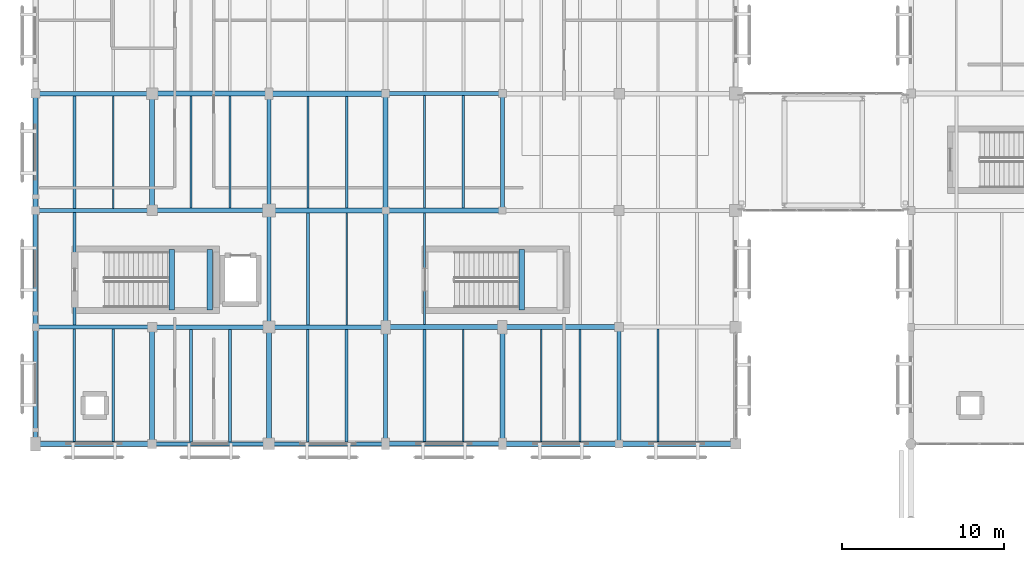
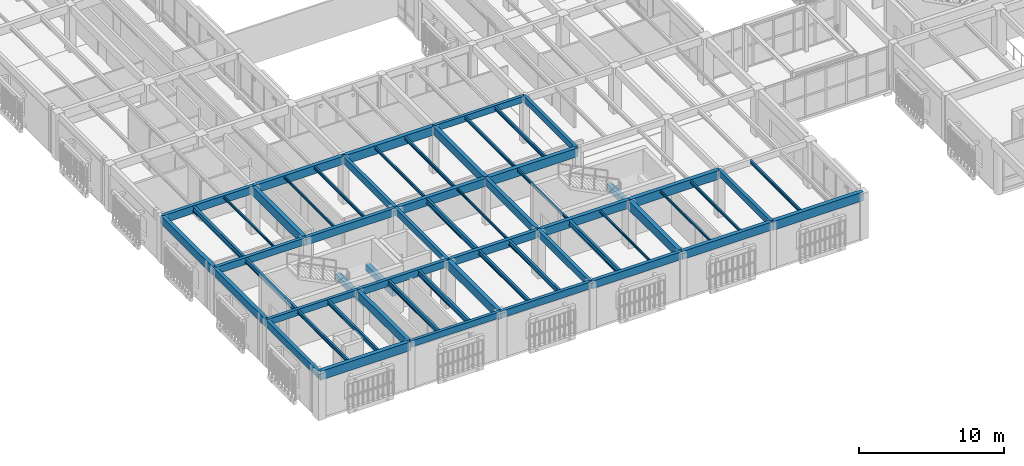
# One storey, part 19 of 170: 59 beams.
"""IFC4 building model written with IfcOpenShell, lengths in metres."""

from ifc_helpers import new_model, si_unit, direction, frame, origin, origin_2d, place, context, subcontext, project, spatial, rectangle, i_section, extrude, material, material_profile, profile_set, type_object, element, save


model = new_model("IFC4")

# Units and contexts
model_context = context("Model", 3, precision=1e-05, world=origin(), true_north=direction((0.0, 1.0)))
body_context = subcontext(model_context, "Body", "Model", "MODEL_VIEW")
ifc_project = project(units=[si_unit("LENGTHUNIT", "METRE"), si_unit("AREAUNIT", "SQUARE_METRE"), si_unit("VOLUMEUNIT", "CUBIC_METRE"), si_unit("PLANEANGLEUNIT", "RADIAN"), si_unit("MASSUNIT", "GRAM", prefix="KILO")], contexts=[model_context])

# Site, building, storey
site_placement = place(None, origin())
site = spatial("IfcSite", under=ifc_project, at=site_placement, CompositionType="ELEMENT")
building_placement = place(site_placement, origin())
building = spatial("IfcBuilding", under=site, at=building_placement, Name="Mazaris Harbour Polytechnic", CompositionType="ELEMENT")
storey_placement = place(building_placement, frame((0.0, 0.0, 5.39990234375)))
storey = spatial("IfcBuildingStorey", under=building, at=storey_placement, Name="L01", CompositionType="ELEMENT", Elevation=5.39990234375)

# Beams
ifc_material_1 = material(Name="Glulam GL32h", Category="wood")
ifc_material_profile_1 = material_profile(ifc_material_1, rectangle(XDim=0.239990234375, YDim=0.52001953125, at=origin_2d()), Name="RECT240x520")
ifc_profile_set_1 = profile_set([ifc_material_profile_1], Name="Glulam GL32h")
beam_type_1 = type_object("IfcBeamType", Name="Glulam Girder 240x520", PredefinedType="BEAM", material=ifc_profile_set_1)
for number, where, z_axis, x_axis, name in (
    (1, (0.0, 14.39990234375, 3.630126953125), (1.0, 0.0, 0.0), (0.0, 1.0, 0.0), "V4 L01 Girder 1630"),
    (2, (21.60009765625, 28.800048828125, 3.630126953125), (1.0, 0.0, 0.0), (0.0, 1.0, 0.0), "V4 L01 Girder 1645"),
):
    element("IfcBeam", number, at=place(storey_placement, frame(where, z_axis=z_axis, x_axis=x_axis)), inside=storey, type_object=beam_type_1, Name=name, PredefinedType="BEAM", context=body_context, shape_type="SweptSolid", body=[
        extrude(rectangle(XDim=0.239990234375, YDim=0.52001953125, at=origin_2d()), origin(), (0.0, 0.0, 1.0), 7.199951171875),
    ])
beam_1_placement = place(storey_placement, frame((14.39990234375, 14.39990234375, 3.630126953125), z_axis=(0.0, 1.0, 0.0), x_axis=(-1.0, 0.0, 0.0)))
element("IfcBeam", 3, at=beam_1_placement, inside=storey, type_object=beam_type_1, Name="V4 L01 Tie Girder 1720", PredefinedType="BEAM", context=body_context, shape_type="SweptSolid", body=[
    extrude(rectangle(XDim=0.239990234375, YDim=0.52001953125, at=origin_2d()), origin(), (0.0, 0.0, 1.0), 7.2001953125),
])
for number, where, z_axis, x_axis, name in (
    (4, (28.800048828125, 21.60009765625, 3.630126953125), (0.0, 1.0, 0.0), (-1.0, 0.0, 0.0), "V4 L01 Tie Girder 1740"),
    (5, (36.0, 7.199951171875, 3.630126953125), (0.0, 1.0, 0.0), (-1.0, 0.0, 0.0), "V4 L01 Tie Girder 1750"),
):
    element("IfcBeam", number, at=place(storey_placement, frame(where, z_axis=z_axis, x_axis=x_axis)), inside=storey, type_object=beam_type_1, Name=name, PredefinedType="BEAM", context=body_context, shape_type="SweptSolid", body=[
        extrude(rectangle(XDim=0.239990234375, YDim=0.52001953125, at=origin_2d()), origin(), (0.0, 0.0, 1.0), 7.199951171875),
    ])
ifc_material_2 = material(Name="Glulam GL32h", Category="wood")
ifc_material_profile_2 = material_profile(ifc_material_2, rectangle(XDim=0.239990234375, YDim=0.52001953125, at=origin_2d()), Name="RECT240x520")
ifc_profile_set_2 = profile_set([ifc_material_profile_2], Name="Glulam GL32h")
beam_type_2 = type_object("IfcBeamType", Name="Glulam Girder 240x520 Exterior", PredefinedType="BEAM", material=ifc_profile_set_2)
beam_2_placement = place(storey_placement, frame((7.199951171875, 7.199951171875, 3.630126953125), z_axis=(1.0, 0.0, 0.0), x_axis=(0.0, 1.0, 0.0)))
element("IfcBeam", 6, at=beam_2_placement, inside=storey, type_object=beam_type_2, Name="V4 L01 Girder 1625", PredefinedType="BEAM", context=body_context, shape_type="SweptSolid", body=[
    extrude(rectangle(XDim=0.239990234375, YDim=0.52001953125, at=origin_2d()), origin(), (0.0, 0.0, 1.0), 7.199951171875),
])
ifc_material_3 = material(Name="Glulam GL32h", Category="wood")
ifc_material_profile_3 = material_profile(ifc_material_3, rectangle(XDim=0.260009765625, YDim=0.580078125, at=origin_2d()), Name="RECT260x580")
ifc_profile_set_3 = profile_set([ifc_material_profile_3], Name="Glulam GL32h")
beam_type_3 = type_object("IfcBeamType", Name="Glulam Girder 260x580", PredefinedType="BEAM", material=ifc_profile_set_3)
for number, where, z_axis, x_axis, name in (
    (7, (7.199951171875, 14.39990234375, 3.60009765625), (1.0, 0.0, 0.0), (0.0, 1.0, 0.0), "V4 L01 Girder 1631"),
    (8, (0.0, 21.60009765625, 3.60009765625), (1.0, 0.0, 0.0), (0.0, 1.0, 0.0), "V4 L01 Girder 1636"),
    (9, (14.39990234375, 21.60009765625, 3.60009765625), (0.0, 1.0, 0.0), (-1.0, 0.0, 0.0), "V4 L01 Tie Girder 1721"),
    (10, (21.60009765625, 7.199951171875, 3.60009765625), (0.0, 1.0, 0.0), (-1.0, 0.0, 0.0), "V4 L01 Tie Girder 1731"),
):
    element("IfcBeam", number, at=place(storey_placement, frame(where, z_axis=z_axis, x_axis=x_axis)), inside=storey, type_object=beam_type_3, Name=name, PredefinedType="BEAM", context=body_context, shape_type="SweptSolid", body=[
        extrude(rectangle(XDim=0.260009765625, YDim=0.580078125, at=origin_2d()), origin(), (0.0, 0.0, 1.0), 7.199951171875),
    ])
ifc_material_4 = material(Name="Glulam GL32h", Category="wood")
ifc_material_profile_4 = material_profile(ifc_material_4, rectangle(XDim=0.260009765625, YDim=0.580078125, at=origin_2d()), Name="RECT260x580")
ifc_profile_set_4 = profile_set([ifc_material_profile_4], Name="Glulam GL32h")
beam_type_4 = type_object("IfcBeamType", Name="Glulam Girder 260x580 Exterior", PredefinedType="BEAM", material=ifc_profile_set_4)
beam_3_placement = place(storey_placement, frame((14.39990234375, 7.199951171875, 3.60009765625), z_axis=(1.0, 0.0, 0.0), x_axis=(0.0, 1.0, 0.0)))
element("IfcBeam", 11, at=beam_3_placement, inside=storey, type_object=beam_type_4, Name="V4 L01 Girder 1626", PredefinedType="BEAM", context=body_context, shape_type="SweptSolid", body=[
    extrude(rectangle(XDim=0.260009765625, YDim=0.580078125, at=origin_2d()), origin(), (0.0, 0.0, 1.0), 7.2001953125),
])
beam_4_placement = place(storey_placement, frame((0.0, 7.199951171875, 3.60009765625), z_axis=(0.0, 1.0, 0.0), x_axis=(-1.0, 0.0, 0.0)))
element("IfcBeam", 12, at=beam_4_placement, inside=storey, type_object=beam_type_4, Name="V4 L01 Tie Girder 1696", PredefinedType="BEAM", context=body_context, shape_type="SweptSolid", body=[
    extrude(rectangle(XDim=0.260009765625, YDim=0.580078125, at=origin_2d()), origin(), (0.0, 0.0, 1.0), 7.199951171875),
])
ifc_material_5 = material(Name="Glulam GL32h", Category="wood")
ifc_material_profile_5 = material_profile(ifc_material_5, rectangle(XDim=0.280029296875, YDim=0.639892578125, at=origin_2d()), Name="RECT280x640")
ifc_profile_set_5 = profile_set([ifc_material_profile_5], Name="Glulam GL32h")
beam_type_5 = type_object("IfcBeamType", Name="Glulam Girder 280x640", PredefinedType="BEAM", material=ifc_profile_set_5)
beam_5_placement = place(storey_placement, frame((14.39990234375, 14.39990234375, 3.570068359375), z_axis=(1.0, 0.0, 0.0), x_axis=(0.0, 1.0, 0.0)))
element("IfcBeam", 13, at=beam_5_placement, inside=storey, type_object=beam_type_5, Name="V4 L01 Girder 1632", PredefinedType="BEAM", context=body_context, shape_type="SweptSolid", body=[
    extrude(rectangle(XDim=0.280029296875, YDim=0.639892578125, at=origin_2d()), origin(), (0.0, 0.0, 1.0), 7.2001953125),
])
for number, where, z_axis, x_axis, name in (
    (14, (7.199951171875, 21.60009765625, 3.570068359375), (1.0, 0.0, 0.0), (0.0, 1.0, 0.0), "V4 L01 Girder 1637"),
    (15, (0.0, 28.800048828125, 3.570068359375), (1.0, 0.0, 0.0), (0.0, 1.0, 0.0), "V4 L01 Girder 1642"),
):
    element("IfcBeam", number, at=place(storey_placement, frame(where, z_axis=z_axis, x_axis=x_axis)), inside=storey, type_object=beam_type_5, Name=name, PredefinedType="BEAM", context=body_context, shape_type="SweptSolid", body=[
        extrude(rectangle(XDim=0.280029296875, YDim=0.639892578125, at=origin_2d()), origin(), (0.0, 0.0, 1.0), 7.199951171875),
    ])
beam_6_placement = place(storey_placement, frame((21.60009765625, 14.39990234375, 3.570068359375), z_axis=(0.0, 1.0, 0.0), x_axis=(-1.0, 0.0, 0.0)))
element("IfcBeam", 16, at=beam_6_placement, inside=storey, type_object=beam_type_5, Name="V4 L01 Tie Girder 1732", PredefinedType="BEAM", context=body_context, shape_type="SweptSolid", body=[
    extrude(rectangle(XDim=0.280029296875, YDim=0.639892578125, at=origin_2d()), origin(), (0.0, 0.0, 1.0), 7.2001953125),
])
ifc_material_6 = material(Name="Glulam GL32h", Category="wood")
ifc_material_profile_6 = material_profile(ifc_material_6, rectangle(XDim=0.280029296875, YDim=0.639892578125, at=origin_2d()), Name="RECT280x640")
ifc_profile_set_6 = profile_set([ifc_material_profile_6], Name="Glulam GL32h")
beam_type_6 = type_object("IfcBeamType", Name="Glulam Girder 280x640 Exterior", PredefinedType="BEAM", material=ifc_profile_set_6)
beam_7_placement = place(storey_placement, frame((21.60009765625, 7.199951171875, 3.570068359375), z_axis=(1.0, 0.0, 0.0), x_axis=(0.0, 1.0, 0.0)))
element("IfcBeam", 17, at=beam_7_placement, inside=storey, type_object=beam_type_6, Name="V4 L01 Girder 1627", PredefinedType="BEAM", context=body_context, shape_type="SweptSolid", body=[
    extrude(rectangle(XDim=0.280029296875, YDim=0.639892578125, at=origin_2d()), origin(), (0.0, 0.0, 1.0), 7.199951171875),
])
beam_8_placement = place(storey_placement, frame((0.0, 14.39990234375, 3.570068359375), z_axis=(0.0, 1.0, 0.0), x_axis=(-1.0, 0.0, 0.0)))
element("IfcBeam", 18, at=beam_8_placement, inside=storey, type_object=beam_type_6, Name="V4 L01 Tie Girder 1697", PredefinedType="BEAM", context=body_context, shape_type="SweptSolid", body=[
    extrude(rectangle(XDim=0.280029296875, YDim=0.639892578125, at=origin_2d()), origin(), (0.0, 0.0, 1.0), 7.2001953125),
])
ifc_material_7 = material(Name="Glulam GL32h", Category="wood")
ifc_material_profile_7 = material_profile(ifc_material_7, rectangle(XDim=0.300048828125, YDim=0.679931640625, at=origin_2d()), Name="RECT300x680")
ifc_profile_set_7 = profile_set([ifc_material_profile_7], Name="Glulam GL32h")
beam_type_7 = type_object("IfcBeamType", Name="Glulam Girder 300x680", PredefinedType="BEAM", material=ifc_profile_set_7)
beam_9_placement = place(storey_placement, frame((21.60009765625, 14.39990234375, 3.550048828125), z_axis=(1.0, 0.0, 0.0), x_axis=(0.0, 1.0, 0.0)))
element("IfcBeam", 19, at=beam_9_placement, inside=storey, type_object=beam_type_7, Name="V4 L01 Girder 1633", PredefinedType="BEAM", context=body_context, shape_type="SweptSolid", body=[
    extrude(rectangle(XDim=0.300048828125, YDim=0.679931640625, at=origin_2d()), origin(), (0.0, 0.0, 1.0), 7.199951171875),
])
beam_10_placement = place(storey_placement, frame((14.39990234375, 21.60009765625, 3.550048828125), z_axis=(1.0, 0.0, 0.0), x_axis=(0.0, 1.0, 0.0)))
element("IfcBeam", 20, at=beam_10_placement, inside=storey, type_object=beam_type_7, Name="V4 L01 Girder 1638", PredefinedType="BEAM", context=body_context, shape_type="SweptSolid", body=[
    extrude(rectangle(XDim=0.300048828125, YDim=0.679931640625, at=origin_2d()), origin(), (0.0, 0.0, 1.0), 7.2001953125),
])
for number, where, z_axis, x_axis, name in (
    (21, (7.199951171875, 28.800048828125, 3.550048828125), (1.0, 0.0, 0.0), (0.0, 1.0, 0.0), "V4 L01 Girder 1643"),
    (22, (7.199951171875, 7.199951171875, 3.550048828125), (0.0, 1.0, 0.0), (-1.0, 0.0, 0.0), "V4 L01 Tie Girder 1708"),
    (23, (21.60009765625, 21.60009765625, 3.550048828125), (0.0, 1.0, 0.0), (-1.0, 0.0, 0.0), "V4 L01 Tie Girder 1733"),
):
    element("IfcBeam", number, at=place(storey_placement, frame(where, z_axis=z_axis, x_axis=x_axis)), inside=storey, type_object=beam_type_7, Name=name, PredefinedType="BEAM", context=body_context, shape_type="SweptSolid", body=[
        extrude(rectangle(XDim=0.300048828125, YDim=0.679931640625, at=origin_2d()), origin(), (0.0, 0.0, 1.0), 7.199951171875),
    ])
ifc_material_8 = material(Name="Glulam GL32h", Category="wood")
ifc_material_profile_8 = material_profile(ifc_material_8, rectangle(XDim=0.300048828125, YDim=0.679931640625, at=origin_2d()), Name="RECT300x680")
ifc_profile_set_8 = profile_set([ifc_material_profile_8], Name="Glulam GL32h")
beam_type_8 = type_object("IfcBeamType", Name="Glulam Girder 300x680 Exterior", PredefinedType="BEAM", material=ifc_profile_set_8)
for number, where, z_axis, x_axis, name in (
    (24, (28.800048828125, 7.199951171875, 3.550048828125), (1.0, 0.0, 0.0), (0.0, 1.0, 0.0), "V4 L01 Girder 1628"),
    (25, (0.0, 21.60009765625, 3.550048828125), (0.0, 1.0, 0.0), (-1.0, 0.0, 0.0), "V4 L01 Tie Girder 1698"),
):
    element("IfcBeam", number, at=place(storey_placement, frame(where, z_axis=z_axis, x_axis=x_axis)), inside=storey, type_object=beam_type_8, Name=name, PredefinedType="BEAM", context=body_context, shape_type="SweptSolid", body=[
        extrude(rectangle(XDim=0.300048828125, YDim=0.679931640625, at=origin_2d()), origin(), (0.0, 0.0, 1.0), 7.199951171875),
    ])
ifc_material_9 = material(Name="Glulam GL32h", Category="wood")
ifc_material_profile_9 = material_profile(ifc_material_9, rectangle(XDim=0.320068359375, YDim=0.739990234375, at=origin_2d()), Name="RECT320x740")
ifc_profile_set_9 = profile_set([ifc_material_profile_9], Name="Glulam GL32h")
beam_type_9 = type_object("IfcBeamType", Name="Glulam Girder 320x740", PredefinedType="BEAM", material=ifc_profile_set_9)
for number, where, z_axis, x_axis, name in (
    (26, (28.800048828125, 14.39990234375, 3.52001953125), (1.0, 0.0, 0.0), (0.0, 1.0, 0.0), "V4 L01 Girder 1634"),
    (27, (21.60009765625, 21.60009765625, 3.52001953125), (1.0, 0.0, 0.0), (0.0, 1.0, 0.0), "V4 L01 Girder 1639"),
):
    element("IfcBeam", number, at=place(storey_placement, frame(where, z_axis=z_axis, x_axis=x_axis)), inside=storey, type_object=beam_type_9, Name=name, PredefinedType="BEAM", context=body_context, shape_type="SweptSolid", body=[
        extrude(rectangle(XDim=0.320068359375, YDim=0.739990234375, at=origin_2d()), origin(), (0.0, 0.0, 1.0), 7.199951171875),
    ])
beam_11_placement = place(storey_placement, frame((14.39990234375, 28.800048828125, 3.52001953125), z_axis=(1.0, 0.0, 0.0), x_axis=(0.0, 1.0, 0.0)))
element("IfcBeam", 28, at=beam_11_placement, inside=storey, type_object=beam_type_9, Name="V4 L01 Girder 1644", PredefinedType="BEAM", context=body_context, shape_type="SweptSolid", body=[
    extrude(rectangle(XDim=0.320068359375, YDim=0.739990234375, at=origin_2d()), origin(), (0.0, 0.0, 1.0), 7.2001953125),
])
for number, where, z_axis, x_axis, name in (
    (29, (7.199951171875, 21.60009765625, 3.52001953125), (0.0, 1.0, 0.0), (-1.0, 0.0, 0.0), "V4 L01 Tie Girder 1709"),
    (30, (14.39990234375, 7.199951171875, 3.52001953125), (0.0, 1.0, 0.0), (-1.0, 0.0, 0.0), "V4 L01 Tie Girder 1719"),
    (31, (28.800048828125, 7.199951171875, 3.52001953125), (0.0, 1.0, 0.0), (-1.0, 0.0, 0.0), "V4 L01 Tie Girder 1739"),
):
    element("IfcBeam", number, at=place(storey_placement, frame(where, z_axis=z_axis, x_axis=x_axis)), inside=storey, type_object=beam_type_9, Name=name, PredefinedType="BEAM", context=body_context, shape_type="SweptSolid", body=[
        extrude(rectangle(XDim=0.320068359375, YDim=0.739990234375, at=origin_2d()), origin(), (0.0, 0.0, 1.0), 7.199951171875),
    ])
ifc_material_10 = material(Name="Glulam GL32h", Category="wood")
ifc_material_profile_10 = material_profile(ifc_material_10, rectangle(XDim=0.320068359375, YDim=0.739990234375, at=origin_2d()), Name="RECT320x740")
ifc_profile_set_10 = profile_set([ifc_material_profile_10], Name="Glulam GL32h")
beam_type_10 = type_object("IfcBeamType", Name="Glulam Girder 320x740 Exterior", PredefinedType="BEAM", material=ifc_profile_set_10)
for number, where, z_axis, x_axis, name in (
    (32, (0.0, 7.199951171875, 3.52001953125), (1.0, 0.0, 0.0), (0.0, 1.0, 0.0), "V4 L01 Girder 1624"),
    (33, (36.0, 7.199951171875, 3.52001953125), (1.0, 0.0, 0.0), (0.0, 1.0, 0.0), "V4 L01 Girder 1629"),
):
    element("IfcBeam", number, at=place(storey_placement, frame(where, z_axis=z_axis, x_axis=x_axis)), inside=storey, type_object=beam_type_10, Name=name, PredefinedType="BEAM", context=body_context, shape_type="SweptSolid", body=[
        extrude(rectangle(XDim=0.320068359375, YDim=0.739990234375, at=origin_2d()), origin(), (0.0, 0.0, 1.0), 7.199951171875),
    ])
ifc_material_11 = material(Name="Concrete C40/50", Category="concrete")
ifc_material_profile_11 = material_profile(ifc_material_11, rectangle(XDim=0.35009765625, YDim=0.52001953125, at=origin_2d()), Name="RECT350x520")
ifc_profile_set_11 = profile_set([ifc_material_profile_11], Name="Concrete C40/50")
beam_type_11 = type_object("IfcBeamType", Name="RC Landing Bearer 350x520", PredefinedType="BEAM", material=ifc_profile_set_11)
for number, where, z_axis, x_axis, name in (
    (34, (8.39990234375, 15.449951171875, 1.64013671875), (0.0, 1.0, 0.0), (-1.0, 0.0, 0.0), "Core ST07 L01 Landing Bearer"),
    (35, (10.75, 15.449951171875, 1.64013671875), (0.0, 1.0, 0.0), (-1.0, 0.0, 0.0), "Core ST07 L01 Landing Bearer"),
    (36, (30.0, 15.449951171875, 1.64013671875), (0.0, 1.0, 0.0), (-1.0, 0.0, 0.0), "Core ST08 L01 Landing Bearer"),
):
    element("IfcBeam", number, at=place(storey_placement, frame(where, z_axis=z_axis, x_axis=x_axis)), inside=storey, type_object=beam_type_11, Name=name, PredefinedType="BEAM", context=body_context, shape_type="SweptSolid", body=[
        extrude(rectangle(XDim=0.35009765625, YDim=0.52001953125, at=origin_2d()), origin(), (0.0, 0.0, 1.0), 3.75),
    ])
ifc_material_12 = material(Name="Steel S355", Category="steel")
ifc_material_profile_12 = material_profile(ifc_material_12, i_section(OverallWidth=0.10009765625, OverallDepth=0.199951171875, WebThickness=0.005615234375, FlangeThickness=0.008544921875, FilletRadius=0.011962890625, at=origin_2d()), Name="IPE 200")
ifc_profile_set_12 = profile_set([ifc_material_profile_12], Name="Steel S355")
beam_type_12 = type_object("IfcBeamType", Name="Steel Joist IPE200", PredefinedType="JOIST", material=ifc_profile_set_12)
beam_12_placement = place(storey_placement, frame((4.800048828125, 21.72998046875, 3.7900390625), z_axis=(0.0, 1.0, 0.0), x_axis=(-1.0, 0.0, 0.0)))
element("IfcBeam", 37, at=beam_12_placement, inside=storey, type_object=beam_type_12, Name="V4 L01 Floor Joist 1778", PredefinedType="JOIST", context=body_context, shape_type="SweptSolid", body=[
    extrude(i_section(OverallWidth=0.10009765625, OverallDepth=0.199951171875, WebThickness=0.005615234375, FlangeThickness=0.008544921875, FilletRadius=0.011962890625, at=origin_2d()), origin(), (0.0, 0.0, 1.0), 6.929931640625),
])
for number, where, z_axis, x_axis, name in (
    (38, (9.60009765625, 21.739990234375, 3.7900390625), (0.0, 1.0, 0.0), (-1.0, 0.0, 0.0), "V4 L01 Floor Joist 1799"),
    (39, (19.199951171875, 14.5400390625, 3.7900390625), (0.0, 1.0, 0.0), (-1.0, 0.0, 0.0), "V4 L01 Floor Joist 1820"),
    (40, (26.39990234375, 7.340087890625, 3.7900390625), (0.0, 1.0, 0.0), (-1.0, 0.0, 0.0), "V4 L01 Floor Joist 1834"),
):
    element("IfcBeam", number, at=place(storey_placement, frame(where, z_axis=z_axis, x_axis=x_axis)), inside=storey, type_object=beam_type_12, Name=name, PredefinedType="JOIST", context=body_context, shape_type="SweptSolid", body=[
        extrude(i_section(OverallWidth=0.10009765625, OverallDepth=0.199951171875, WebThickness=0.005615234375, FlangeThickness=0.008544921875, FilletRadius=0.011962890625, at=origin_2d()), origin(), (0.0, 0.0, 1.0), 6.909912109375),
    ])
beam_13_placement = place(storey_placement, frame((31.199951171875, 7.35009765625, 3.7900390625), z_axis=(0.0, 1.0, 0.0), x_axis=(-1.0, 0.0, 0.0)))
element("IfcBeam", 41, at=beam_13_placement, inside=storey, type_object=beam_type_12, Name="V4 L01 Floor Joist 1848", PredefinedType="JOIST", context=body_context, shape_type="SweptSolid", body=[
    extrude(i_section(OverallWidth=0.10009765625, OverallDepth=0.199951171875, WebThickness=0.005615234375, FlangeThickness=0.008544921875, FilletRadius=0.011962890625, at=origin_2d()), origin(), (0.0, 0.0, 1.0), 6.889892578125),
])
ifc_material_13 = material(Name="Steel S355", Category="steel")
ifc_material_profile_13 = material_profile(ifc_material_13, i_section(OverallWidth=0.1201171875, OverallDepth=0.239990234375, WebThickness=0.006103515625, FlangeThickness=0.009765625, FilletRadius=0.014892578125, at=origin_2d()), Name="IPE 240")
ifc_profile_set_13 = profile_set([ifc_material_profile_13], Name="Steel S355")
beam_type_13 = type_object("IfcBeamType", Name="Steel Joist IPE240", PredefinedType="JOIST", material=ifc_profile_set_13)
beam_14_placement = place(storey_placement, frame((12.0, 21.739990234375, 3.77001953125), z_axis=(0.0, 1.0, 0.0), x_axis=(-1.0, 0.0, 0.0)))
element("IfcBeam", 42, at=beam_14_placement, inside=storey, type_object=beam_type_13, Name="V4 L01 Floor Joist 1800", PredefinedType="JOIST", context=body_context, shape_type="SweptSolid", body=[
    extrude(i_section(OverallWidth=0.1201171875, OverallDepth=0.239990234375, WebThickness=0.006103515625, FlangeThickness=0.009765625, FilletRadius=0.014892578125, at=origin_2d()), origin(), (0.0, 0.0, 1.0), 6.909912109375),
])
for number, where, z_axis, x_axis, name in (
    (43, (16.800048828125, 21.75, 3.77001953125), (0.0, 1.0, 0.0), (-1.0, 0.0, 0.0), "V4 L01 Floor Joist 1821"),
    (44, (24.0, 14.550048828125, 3.77001953125), (0.0, 1.0, 0.0), (-1.0, 0.0, 0.0), "V4 L01 Floor Joist 1835"),
    (45, (33.60009765625, 7.35009765625, 3.77001953125), (0.0, 1.0, 0.0), (-1.0, 0.0, 0.0), "V4 L01 Floor Joist 1849"),
):
    element("IfcBeam", number, at=place(storey_placement, frame(where, z_axis=z_axis, x_axis=x_axis)), inside=storey, type_object=beam_type_13, Name=name, PredefinedType="JOIST", context=body_context, shape_type="SweptSolid", body=[
        extrude(i_section(OverallWidth=0.1201171875, OverallDepth=0.239990234375, WebThickness=0.006103515625, FlangeThickness=0.009765625, FilletRadius=0.014892578125, at=origin_2d()), origin(), (0.0, 0.0, 1.0), 6.889892578125),
    ])
ifc_material_14 = material(Name="Steel S355", Category="steel")
ifc_material_profile_14 = material_profile(ifc_material_14, i_section(OverallWidth=0.135009765625, OverallDepth=0.27001953125, WebThickness=0.006591796875, FlangeThickness=0.01025390625, FilletRadius=0.014892578125, at=origin_2d()), Name="IPE 270")
ifc_profile_set_14 = profile_set([ifc_material_profile_14], Name="Steel S355")
beam_type_14 = type_object("IfcBeamType", Name="Steel Joist IPE270", PredefinedType="JOIST", material=ifc_profile_set_14)
beam_15_placement = place(storey_placement, frame((19.199951171875, 21.75, 3.755126953125), z_axis=(0.0, 1.0, 0.0), x_axis=(-1.0, 0.0, 0.0)))
element("IfcBeam", 46, at=beam_15_placement, inside=storey, type_object=beam_type_14, Name="V4 L01 Floor Joist 1822", PredefinedType="JOIST", context=body_context, shape_type="SweptSolid", body=[
    extrude(i_section(OverallWidth=0.135009765625, OverallDepth=0.27001953125, WebThickness=0.006591796875, FlangeThickness=0.01025390625, FilletRadius=0.014892578125, at=origin_2d()), origin(), (0.0, 0.0, 1.0), 6.889892578125),
])
for number, where, z_axis, x_axis, name in (
    (47, (24.0, 21.760009765625, 3.755126953125), (0.0, 1.0, 0.0), (-1.0, 0.0, 0.0), "V4 L01 Floor Joist 1836"),
    (48, (38.39990234375, 7.360107421875, 3.755126953125), (0.0, 1.0, 0.0), (-1.0, 0.0, 0.0), "V4 L01 Floor Joist 1871"),
):
    element("IfcBeam", number, at=place(storey_placement, frame(where, z_axis=z_axis, x_axis=x_axis)), inside=storey, type_object=beam_type_14, Name=name, PredefinedType="JOIST", context=body_context, shape_type="SweptSolid", body=[
        extrude(i_section(OverallWidth=0.135009765625, OverallDepth=0.27001953125, WebThickness=0.006591796875, FlangeThickness=0.01025390625, FilletRadius=0.014892578125, at=origin_2d()), origin(), (0.0, 0.0, 1.0), 6.919921875),
    ])
ifc_material_15 = material(Name="Steel S355", Category="steel")
ifc_material_profile_15 = material_profile(ifc_material_15, i_section(OverallWidth=0.14990234375, OverallDepth=0.300048828125, WebThickness=0.007080078125, FlangeThickness=0.0107421875, FilletRadius=0.014892578125, at=origin_2d()), Name="IPE 300")
ifc_profile_set_15 = profile_set([ifc_material_profile_15], Name="Steel S355")
beam_type_15 = type_object("IfcBeamType", Name="Steel Joist IPE300", PredefinedType="JOIST", material=ifc_profile_set_15)
for number, where, z_axis, x_axis, name in (
    (49, (2.39990234375, 7.360107421875, 3.739990234375), (0.0, 1.0, 0.0), (-1.0, 0.0, 0.0), "V4 L01 Floor Joist 1774"),
    (50, (26.39990234375, 21.760009765625, 3.739990234375), (0.0, 1.0, 0.0), (-1.0, 0.0, 0.0), "V4 L01 Floor Joist 1837"),
):
    element("IfcBeam", number, at=place(storey_placement, frame(where, z_axis=z_axis, x_axis=x_axis)), inside=storey, type_object=beam_type_15, Name=name, PredefinedType="JOIST", context=body_context, shape_type="SweptSolid", body=[
        extrude(i_section(OverallWidth=0.14990234375, OverallDepth=0.300048828125, WebThickness=0.007080078125, FlangeThickness=0.0107421875, FilletRadius=0.014892578125, at=origin_2d()), origin(), (0.0, 0.0, 1.0), 6.919921875),
    ])
ifc_material_16 = material(Name="Steel S355", Category="steel")
ifc_material_profile_16 = material_profile(ifc_material_16, i_section(OverallWidth=0.169921875, OverallDepth=0.360107421875, WebThickness=0.008056640625, FlangeThickness=0.0126953125, FilletRadius=0.01806640625, at=origin_2d()), Name="IPE 360")
ifc_profile_set_16 = profile_set([ifc_material_profile_16], Name="Steel S355")
beam_type_16 = type_object("IfcBeamType", Name="Steel Joist IPE360", PredefinedType="JOIST", material=ifc_profile_set_16)
beam_16_placement = place(storey_placement, frame((4.800048828125, 7.360107421875, 3.710205078125), z_axis=(0.0, 1.0, 0.0), x_axis=(-1.0, 0.0, 0.0)))
element("IfcBeam", 51, at=beam_16_placement, inside=storey, type_object=beam_type_16, Name="V4 L01 Floor Joist 1775", PredefinedType="JOIST", context=body_context, shape_type="SweptSolid", body=[
    extrude(i_section(OverallWidth=0.169921875, OverallDepth=0.360107421875, WebThickness=0.008056640625, FlangeThickness=0.0126953125, FilletRadius=0.01806640625, at=origin_2d()), origin(), (0.0, 0.0, 1.0), 6.919921875),
])
beam_17_placement = place(storey_placement, frame((16.800048828125, 7.330078125, 3.710205078125), z_axis=(0.0, 1.0, 0.0), x_axis=(-1.0, 0.0, 0.0)))
element("IfcBeam", 52, at=beam_17_placement, inside=storey, type_object=beam_type_16, Name="V4 L01 Floor Joist 1817", PredefinedType="JOIST", context=body_context, shape_type="SweptSolid", body=[
    extrude(i_section(OverallWidth=0.169921875, OverallDepth=0.360107421875, WebThickness=0.008056640625, FlangeThickness=0.0126953125, FilletRadius=0.01806640625, at=origin_2d()), origin(), (0.0, 0.0, 1.0), 6.929931640625),
])
ifc_material_17 = material(Name="Steel S355", Category="steel")
ifc_material_profile_17 = material_profile(ifc_material_17, i_section(OverallWidth=0.179931640625, OverallDepth=0.39990234375, WebThickness=0.008544921875, FlangeThickness=0.013427734375, FilletRadius=0.02099609375, at=origin_2d()), Name="IPE 400")
ifc_profile_set_17 = profile_set([ifc_material_profile_17], Name="Steel S355")
beam_type_17 = type_object("IfcBeamType", Name="Steel Joist IPE400", PredefinedType="JOIST", material=ifc_profile_set_17)
for number, where, z_axis, x_axis, name in (
    (53, (2.39990234375, 14.52001953125, 3.690185546875), (0.0, 1.0, 0.0), (-1.0, 0.0, 0.0), "V4 L01 Floor Joist 1776"),
    (54, (9.60009765625, 7.320068359375, 3.690185546875), (0.0, 1.0, 0.0), (-1.0, 0.0, 0.0), "V4 L01 Floor Joist 1797"),
):
    element("IfcBeam", number, at=place(storey_placement, frame(where, z_axis=z_axis, x_axis=x_axis)), inside=storey, type_object=beam_type_17, Name=name, PredefinedType="JOIST", context=body_context, shape_type="SweptSolid", body=[
        extrude(i_section(OverallWidth=0.179931640625, OverallDepth=0.39990234375, WebThickness=0.008544921875, FlangeThickness=0.013427734375, FilletRadius=0.02099609375, at=origin_2d()), origin(), (0.0, 0.0, 1.0), 6.949951171875),
    ])
beam_18_placement = place(storey_placement, frame((19.199951171875, 7.330078125, 3.690185546875), z_axis=(0.0, 1.0, 0.0), x_axis=(-1.0, 0.0, 0.0)))
element("IfcBeam", 55, at=beam_18_placement, inside=storey, type_object=beam_type_17, Name="V4 L01 Floor Joist 1818", PredefinedType="JOIST", context=body_context, shape_type="SweptSolid", body=[
    extrude(i_section(OverallWidth=0.179931640625, OverallDepth=0.39990234375, WebThickness=0.008544921875, FlangeThickness=0.013427734375, FilletRadius=0.02099609375, at=origin_2d()), origin(), (0.0, 0.0, 1.0), 6.929931640625),
])
ifc_material_18 = material(Name="Steel S355", Category="steel")
ifc_material_profile_18 = material_profile(ifc_material_18, i_section(OverallWidth=0.18994140625, OverallDepth=0.449951171875, WebThickness=0.009521484375, FlangeThickness=0.0146484375, FilletRadius=0.02099609375, at=origin_2d()), Name="IPE 450")
ifc_profile_set_18 = profile_set([ifc_material_profile_18], Name="Steel S355")
beam_type_18 = type_object("IfcBeamType", Name="Steel Joist IPE450", PredefinedType="JOIST", material=ifc_profile_set_18)
beam_19_placement = place(storey_placement, frame((2.39990234375, 21.72998046875, 3.6650390625), z_axis=(0.0, 1.0, 0.0), x_axis=(-1.0, 0.0, 0.0)))
element("IfcBeam", 56, at=beam_19_placement, inside=storey, type_object=beam_type_18, Name="V4 L01 Floor Joist 1777", PredefinedType="JOIST", context=body_context, shape_type="SweptSolid", body=[
    extrude(i_section(OverallWidth=0.18994140625, OverallDepth=0.449951171875, WebThickness=0.009521484375, FlangeThickness=0.0146484375, FilletRadius=0.02099609375, at=origin_2d()), origin(), (0.0, 0.0, 1.0), 6.929931640625),
])
beam_20_placement = place(storey_placement, frame((12.0, 7.320068359375, 3.6650390625), z_axis=(0.0, 1.0, 0.0), x_axis=(-1.0, 0.0, 0.0)))
element("IfcBeam", 57, at=beam_20_placement, inside=storey, type_object=beam_type_18, Name="V4 L01 Floor Joist 1798", PredefinedType="JOIST", context=body_context, shape_type="SweptSolid", body=[
    extrude(i_section(OverallWidth=0.18994140625, OverallDepth=0.449951171875, WebThickness=0.009521484375, FlangeThickness=0.0146484375, FilletRadius=0.02099609375, at=origin_2d()), origin(), (0.0, 0.0, 1.0), 6.949951171875),
])
for number, where, z_axis, x_axis, name in (
    (58, (16.800048828125, 14.5400390625, 3.6650390625), (0.0, 1.0, 0.0), (-1.0, 0.0, 0.0), "V4 L01 Floor Joist 1819"),
    (59, (24.0, 7.340087890625, 3.6650390625), (0.0, 1.0, 0.0), (-1.0, 0.0, 0.0), "V4 L01 Floor Joist 1833"),
):
    element("IfcBeam", number, at=place(storey_placement, frame(where, z_axis=z_axis, x_axis=x_axis)), inside=storey, type_object=beam_type_18, Name=name, PredefinedType="JOIST", context=body_context, shape_type="SweptSolid", body=[
        extrude(i_section(OverallWidth=0.18994140625, OverallDepth=0.449951171875, WebThickness=0.009521484375, FlangeThickness=0.0146484375, FilletRadius=0.02099609375, at=origin_2d()), origin(), (0.0, 0.0, 1.0), 6.909912109375),
    ])

save(model, "model.ifc")
